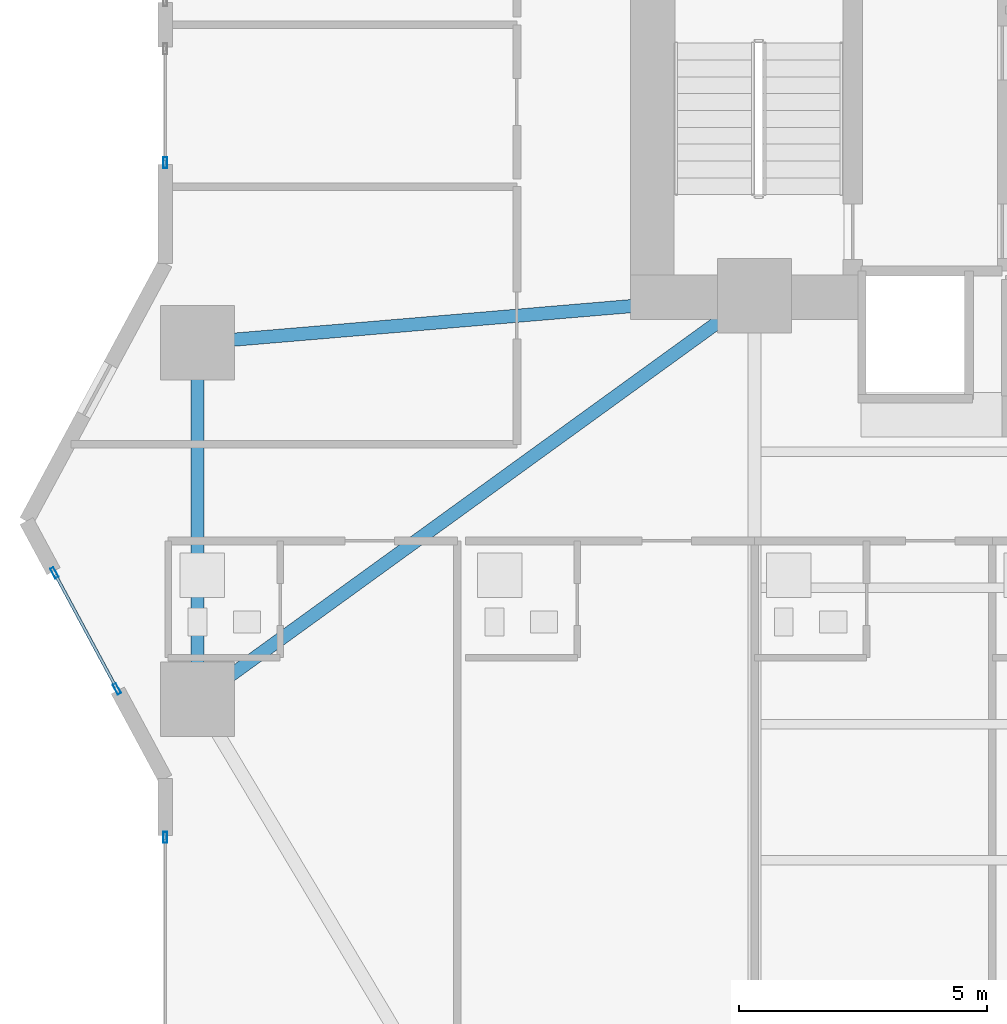
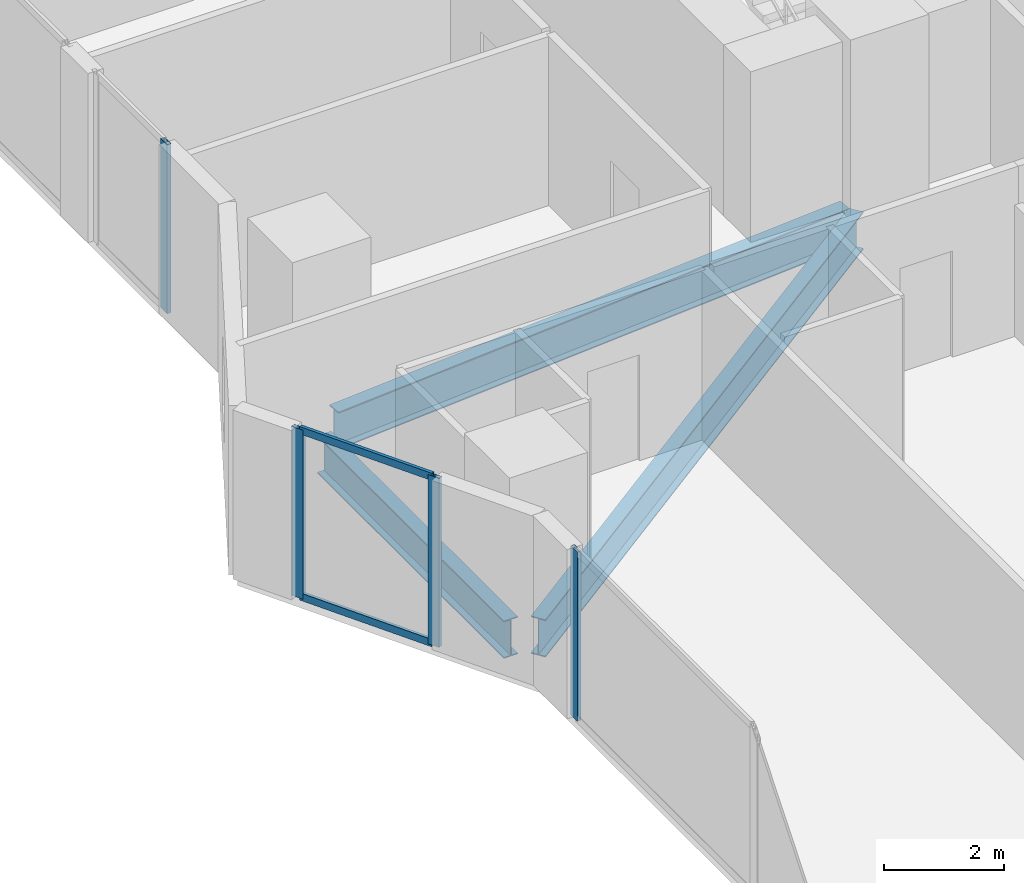
# One storey, part 6 of 29: 6 members, 3 beams, 3 elements without a shape of their own.
"""IFC4 building model written with IfcOpenShell, lengths in metres."""

from ifc_helpers import new_model, si_unit, direction, frame, origin, origin_2d, place, context, subcontext, project, spatial, hollow_rectangle, i_section, extrude, material, layer, layer_set, material_profile, profile_set, type_object, element, aggregate, save


model = new_model("IFC4")

# Units and contexts
model_context = context("Model", 3, precision=1e-05, world=origin(), true_north=direction((0.0, 1.0)))
body_context = subcontext(model_context, "Body", "Model", "MODEL_VIEW")
ifc_project = project(units=[si_unit("LENGTHUNIT", "METRE"), si_unit("AREAUNIT", "SQUARE_METRE"), si_unit("VOLUMEUNIT", "CUBIC_METRE"), si_unit("PLANEANGLEUNIT", "RADIAN"), si_unit("MASSUNIT", "GRAM", prefix="KILO")], contexts=[model_context])

# Site, building, storey
site_placement = place(None, origin())
site = spatial("IfcSite", under=ifc_project, at=site_placement, CompositionType="ELEMENT")
building_placement = place(site_placement, origin())
building = spatial("IfcBuilding", under=site, at=building_placement, Name="Zuhayl Quay Hotel", CompositionType="ELEMENT")
storey_placement = place(building_placement, frame((0.0, 0.0, 60.449951171875)))
storey = spatial("IfcBuildingStorey", under=building, at=storey_placement, Name="L14", CompositionType="ELEMENT", Elevation=60.449951171875)

# Beams
ifc_material_1 = material(Name="Steel ASTM A992 Grade 50", Category="steel")
ifc_material_profile_1 = material_profile(ifc_material_1, i_section(OverallWidth=0.26708984375, OverallDepth=0.761962890625, WebThickness=0.014404296875, FlangeThickness=0.021484375, at=origin_2d()), Name="W30X116")
ifc_profile_set_1 = profile_set([ifc_material_profile_1], Name="Steel ASTM A992 Grade 50")
beam_type = type_object("IfcBeamType", Name="BM_B1_W30X116", PredefinedType="BEAM", material=ifc_profile_set_1)
beam_1_placement = place(storey_placement, frame((-25.050048828125, 3.10009765625, -0.600830078125), z_axis=(0.0, -1.0, 0.0), x_axis=(1.0, 0.0, 0.0)))
element("IfcBeam", 1, at=beam_1_placement, inside=storey, type_object=beam_type, Name="L14 Floor Beam RG_L14_11", PredefinedType="BEAM", context=body_context, shape_type="SweptSolid", body=[
    extrude(i_section(OverallWidth=0.26708984375, OverallDepth=0.761962890625, WebThickness=0.014404296875, FlangeThickness=0.021484375, at=origin_2d()), origin(), (0.0, 0.0, 1.0), 6.2001953125),
])
beam_2_placement = place(storey_placement, frame((-24.64501953125, -3.306640625, -0.600830078125), z_axis=(0.809830244688, 0.586664277751, 0.0), x_axis=(-0.586664277751, 0.809830244688, 0.0)))
element("IfcBeam", 2, at=beam_2_placement, inside=storey, type_object=beam_type, Name="L14 Floor Beam FG_W_L14_1", PredefinedType="BEAM", context=body_context, shape_type="SweptSolid", body=[
    extrude(i_section(OverallWidth=0.26708984375, OverallDepth=0.761962890625, WebThickness=0.014404296875, FlangeThickness=0.021484375, at=origin_2d()), origin(), (0.0, 0.0, 1.0), 12.94189453125),
])
beam_3_placement = place(storey_placement, frame((-24.5517578125, 3.64208984375, -0.600830078125), z_axis=(0.996453145398, 0.084149444594, 0.0), x_axis=(-0.084149444594, 0.996453145398, 0.0)))
element("IfcBeam", 3, at=beam_3_placement, inside=storey, type_object=beam_type, Name="L14 Floor Beam FG_W_L14_2", PredefinedType="BEAM", context=body_context, shape_type="SweptSolid", body=[
    extrude(i_section(OverallWidth=0.26708984375, OverallDepth=0.761962890625, WebThickness=0.014404296875, FlangeThickness=0.021484375, at=origin_2d()), origin(), (0.0, 0.0, 1.0), 10.340087890625),
])

# Curtain wall, member
ifc_material_2 = material(Name="Anodised Aluminium 6063-T6", Category="aluminium")
ifc_layer = layer(ifc_material_2, 0.18994140625, Name="Anodised Aluminium 6063-T6", Category="aluminium")
ifc_layer_set = layer_set([ifc_layer], Name="Anodised Aluminium 6063-T6")
curtain_wall_type = type_object("IfcCurtainWallType", Name="CW_SYS_Z1", PredefinedType="USERDEFINED", material=ifc_layer_set)
curtain_wall_1_placement = place(storey_placement, origin())
curtain_wall_1 = element("IfcCurtainWall", 4, at=curtain_wall_1_placement, inside=storey, type_object=curtain_wall_type, Name="L14 Curtain Wall ENV_L14_E02_CW1", ObjectType="UNITISED CURTAIN WALL", PredefinedType="USERDEFINED")
ifc_material_3 = material(Name="Black-anodised aluminium 6063-T6", Category="aluminium")
ifc_material_profile_2 = material_profile(ifc_material_3, hollow_rectangle(XDim=0.074951171875, YDim=0.219970703125, WallThickness=0.00390625, at=origin_2d()), Name="ALU220X75")
ifc_profile_set_2 = profile_set([ifc_material_profile_2], Name="Black-anodised aluminium 6063-T6")
member_type_1 = type_object("IfcMemberType", Name="MB_CW_MUL_220", PredefinedType="MULLION", material=ifc_profile_set_2)
member_1_placement = place(storey_placement, frame((-25.699951171875, -6.387451171875, 0.0), z_axis=(0.0, 0.0, 1.0), x_axis=(-1.0, 0.0, 0.0)))
member_1 = element("IfcMember", 5, at=member_1_placement, type_object=member_type_1, Name="CW-Z1 mullion 3", PredefinedType="MULLION", context=body_context, shape_type="SweptSolid", body=[
    extrude(hollow_rectangle(XDim=0.074951171875, YDim=0.219970703125, WallThickness=0.00390625, at=origin_2d()), origin(), (0.0, 0.0, 1.0), 3.429931640625),
])
aggregate(curtain_wall_1, [member_1])

# Curtain wall, members
curtain_wall_2_placement = place(storey_placement, origin())
curtain_wall_2 = element("IfcCurtainWall", 6, at=curtain_wall_2_placement, inside=storey, type_object=curtain_wall_type, Name="L14 Curtain Wall ENV_L14_E03_CW1", ObjectType="UNITISED CURTAIN WALL", PredefinedType="USERDEFINED")
member_2_placement = place(storey_placement, frame((-26.67578125, -3.387939453125, 0.0), z_axis=(0.0, 0.0, 1.0), x_axis=(-0.880475795468, -0.474091102632, 0.0)))
member_2 = element("IfcMember", 7, at=member_2_placement, type_object=member_type_1, Name="CW-Z1 mullion 1", PredefinedType="MULLION", context=body_context, shape_type="SweptSolid", body=[
    extrude(hollow_rectangle(XDim=0.074951171875, YDim=0.219970703125, WallThickness=0.00390625, at=origin_2d()), origin(), (0.0, 0.0, 1.0), 3.429931640625),
])
member_3_placement = place(storey_placement, frame((-27.93701171875, -1.04541015625, 0.0), z_axis=(0.0, 0.0, 1.0), x_axis=(-0.880475795468, -0.474091102632, 0.0)))
member_3 = element("IfcMember", 8, at=member_3_placement, type_object=member_type_1, Name="CW-Z1 mullion 2", PredefinedType="MULLION", context=body_context, shape_type="SweptSolid", body=[
    extrude(hollow_rectangle(XDim=0.074951171875, YDim=0.219970703125, WallThickness=0.00390625, at=origin_2d()), origin(), (0.0, 0.0, 1.0), 3.429931640625),
])

# Curtain wall, member
curtain_wall_3_placement = place(storey_placement, origin())
curtain_wall_3 = element("IfcCurtainWall", 9, at=curtain_wall_3_placement, inside=storey, type_object=curtain_wall_type, Name="L14 Curtain Wall ENV_L14_E05_CW1", ObjectType="UNITISED CURTAIN WALL", PredefinedType="USERDEFINED")
member_4_placement = place(storey_placement, frame((-25.699951171875, 7.237548828125, 0.0), z_axis=(0.0, 0.0, 1.0), x_axis=(-1.0, 0.0, 0.0)))
member_4 = element("IfcMember", 10, at=member_4_placement, type_object=member_type_1, Name="CW-Z1 mullion 1", PredefinedType="MULLION", context=body_context, shape_type="SweptSolid", body=[
    extrude(hollow_rectangle(XDim=0.074951171875, YDim=0.219970703125, WallThickness=0.00390625, at=origin_2d()), origin(), (0.0, 0.0, 1.0), 3.429931640625),
])
aggregate(curtain_wall_3, [member_4])

# Member
ifc_material_profile_3 = material_profile(ifc_material_3, hollow_rectangle(XDim=0.06005859375, YDim=0.14990234375, WallThickness=0.00341796875, at=origin_2d()), Name="ALU150X60")
ifc_profile_set_3 = profile_set([ifc_material_profile_3], Name="Black-anodised aluminium 6063-T6")
member_type_2 = type_object("IfcMemberType", Name="MB_CW_TRN_150", PredefinedType="USERDEFINED", material=ifc_profile_set_3)
member_5_placement = place(storey_placement, frame((-26.693603515625, -3.35498046875, 0.030029296875), z_axis=(-0.474054771703, 0.880495356845, 0.0), x_axis=(-0.880495356845, -0.474054771703, 0.0)))
member_5 = element("IfcMember", 11, at=member_5_placement, type_object=member_type_2, Name="CW-Z1 transom 1.1", ObjectType="TRANSOM", PredefinedType="USERDEFINED", context=body_context, shape_type="SweptSolid", body=[
    extrude(hollow_rectangle(XDim=0.06005859375, YDim=0.14990234375, WallThickness=0.00341796875, at=origin_2d()), origin(), (0.0, 0.0, 1.0), 2.585205078125),
])

member_6_placement = place(storey_placement, frame((-26.693603515625, -3.35498046875, 3.400146484375), z_axis=(-0.474054771703, 0.880495356845, 0.0), x_axis=(-0.880495356845, -0.474054771703, 0.0)))
member_6 = element("IfcMember", 12, at=member_6_placement, type_object=member_type_2, Name="CW-Z1 transom 1.2", ObjectType="TRANSOM", PredefinedType="USERDEFINED", context=body_context, shape_type="SweptSolid", body=[
    extrude(hollow_rectangle(XDim=0.06005859375, YDim=0.14990234375, WallThickness=0.00341796875, at=origin_2d()), origin(), (0.0, 0.0, 1.0), 2.585205078125),
])

aggregate(curtain_wall_2, [member_2, member_3, member_5, member_6])

save(model, "model.ifc")
